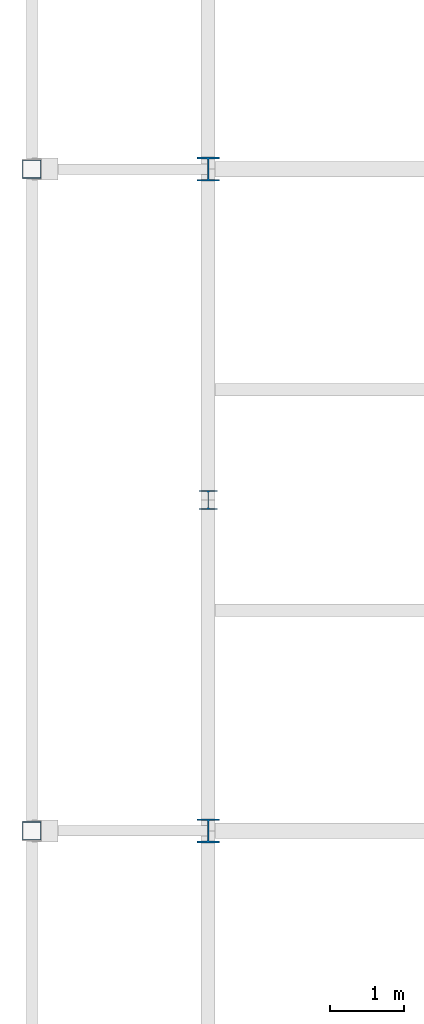
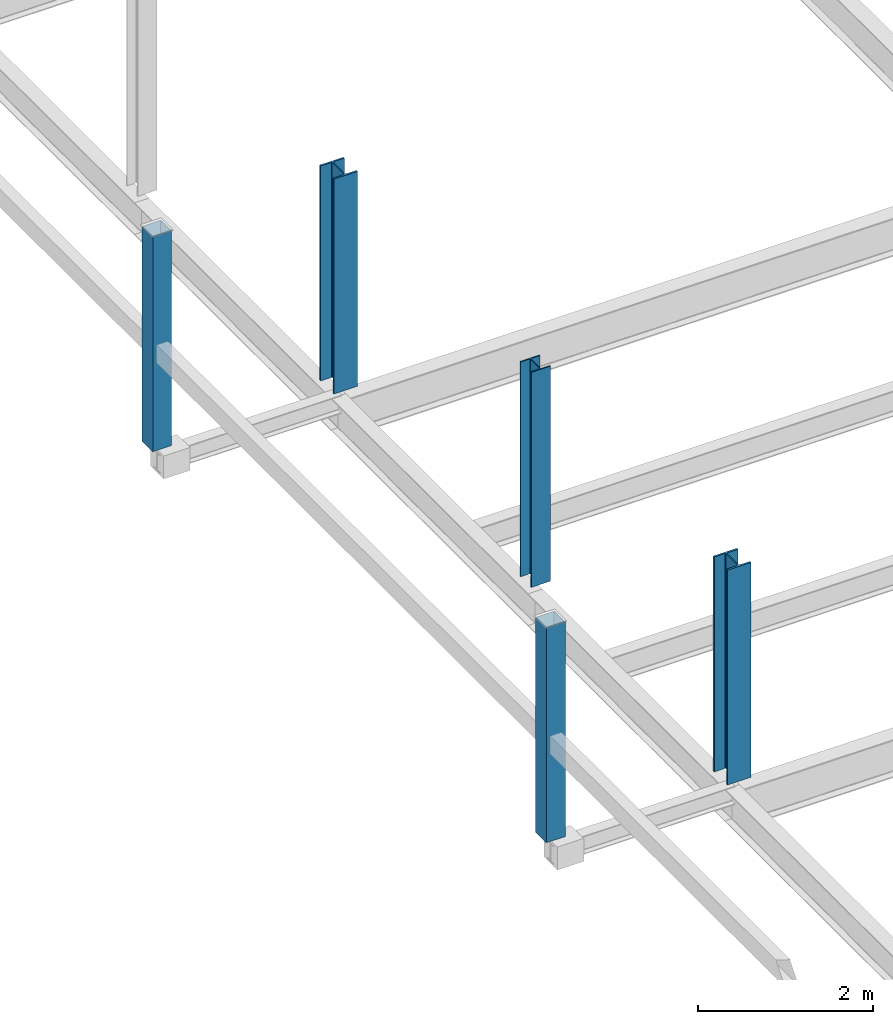
# One storey, part 3 of 16: 5 columns.
"""IFC4 building model written with IfcOpenShell, lengths in metres."""

from ifc_helpers import new_model, si_unit, direction, frame, origin, origin_2d, place, context, subcontext, project, spatial, hollow_rectangle, i_section, extrude, material, material_profile, profile_set, type_object, element, save


model = new_model("IFC4")

# Units and contexts
model_context = context("Model", 3, precision=1e-05, world=origin(), true_north=direction((0.0, 1.0)))
body_context = subcontext(model_context, "Body", "Model", "MODEL_VIEW")
ifc_project = project(units=[si_unit("LENGTHUNIT", "METRE"), si_unit("AREAUNIT", "SQUARE_METRE"), si_unit("VOLUMEUNIT", "CUBIC_METRE"), si_unit("PLANEANGLEUNIT", "RADIAN"), si_unit("MASSUNIT", "GRAM", prefix="KILO"), si_unit("THERMODYNAMICTEMPERATUREUNIT", "KELVIN"), si_unit("POWERUNIT", "WATT")], contexts=[model_context])

# Site, building, storey
site_placement = place(None, origin())
site = spatial("IfcSite", under=ifc_project, at=site_placement, CompositionType="ELEMENT")
building_placement = place(site_placement, origin())
building = spatial("IfcBuilding", under=site, at=building_placement, Name="Tallowbark Science Centre", CompositionType="ELEMENT")
storey_placement = place(building_placement, frame((0.0, 0.0, 23.39990234375)))
storey = spatial("IfcBuildingStorey", under=building, at=storey_placement, Name="L05", CompositionType="ELEMENT", Elevation=23.39990234375)

# Columns
ifc_material_1 = material(Name="White Architectural Painted Steel Grade C350L0 (350 MPa)", Category="steel")
ifc_material_profile_1 = material_profile(ifc_material_1, hollow_rectangle(XDim=0.25, YDim=0.25, WallThickness=0.009033203125, at=origin_2d()), Name="250x250x9.0SHS")
ifc_profile_set_1 = profile_set([ifc_material_profile_1], Name="White Architectural Painted Steel Grade C350L0 (350 MPa)")
column_type_1 = type_object("IfcColumnType", Name="COL-SCR200", PredefinedType="COLUMN", material=ifc_profile_set_1)
for number, where, z_axis, x_axis, name in (
    (1, (56.10009765625, 22.5, 0.0), (0.0, 0.0, 1.0), (1.0, 0.0, 0.0), "Column SCR-W03 L05"),
    (2, (56.10009765625, 31.5, 0.0), (0.0, 0.0, 1.0), (1.0, 0.0, 0.0), "Column SCR-W04 L05"),
):
    element("IfcColumn", number, at=place(storey_placement, frame(where, z_axis=z_axis, x_axis=x_axis)), inside=storey, type_object=column_type_1, Name=name, PredefinedType="COLUMN", context=body_context, shape_type="SweptSolid", body=[
        extrude(hollow_rectangle(XDim=0.25, YDim=0.25, WallThickness=0.009033203125, at=origin_2d()), origin(), (0.0, 0.0, 1.0), 3.0),
    ])
ifc_material_2 = material(Name="Structural Steel Grade 300PLUS (300 MPa)", Category="steel")
ifc_material_profile_2 = material_profile(ifc_material_2, i_section(OverallWidth=0.311279296875, OverallDepth=0.3271484375, WebThickness=0.015625, FlangeThickness=0.02490234375, FilletRadius=0.0166015625, at=origin_2d()), Name="310UC158")
ifc_profile_set_2 = profile_set([ifc_material_profile_2], Name="Structural Steel Grade 300PLUS (300 MPa)")
column_type_2 = type_object("IfcColumnType", Name="COL-UC310A", PredefinedType="COLUMN", material=ifc_profile_set_2)
for number, where, z_axis, x_axis, name in (
    (3, (58.5, 22.5, 0.0), (0.0, 0.0, 1.0), (1.0, 0.0, 0.0), "Column CUB-M0_2 L05"),
    (4, (58.5, 31.5, 0.0), (0.0, 0.0, 1.0), (1.0, 0.0, 0.0), "Column CUB-M0_3 L05"),
):
    element("IfcColumn", number, at=place(storey_placement, frame(where, z_axis=z_axis, x_axis=x_axis)), inside=storey, type_object=column_type_2, Name=name, PredefinedType="COLUMN", context=body_context, shape_type="SweptSolid", body=[
        extrude(i_section(OverallWidth=0.311279296875, OverallDepth=0.3271484375, WebThickness=0.015625, FlangeThickness=0.02490234375, FilletRadius=0.0166015625, at=origin_2d()), origin(), (0.0, 0.0, 1.0), 3.0),
    ])
ifc_material_profile_3 = material_profile(ifc_material_2, i_section(OverallWidth=0.256103515625, OverallDepth=0.260009765625, WebThickness=0.010498046875, FlangeThickness=0.017333984375, FilletRadius=0.013916015625, at=origin_2d()), Name="250UC89.5")
ifc_profile_set_3 = profile_set([ifc_material_profile_3], Name="Structural Steel Grade 300PLUS (300 MPa)")
column_type_3 = type_object("IfcColumnType", Name="PIL-UC250", PredefinedType="PILASTER", material=ifc_profile_set_3)
column_placement = place(storey_placement, frame((58.5, 27.0, 0.0), z_axis=(0.0, 0.0, 1.0), x_axis=(1.0, 0.0, 0.0)))
element("IfcColumn", 5, at=column_placement, inside=storey, type_object=column_type_3, Name="Column CUB-PW-2 L05", PredefinedType="PILASTER", context=body_context, shape_type="SweptSolid", body=[
    extrude(i_section(OverallWidth=0.256103515625, OverallDepth=0.260009765625, WebThickness=0.010498046875, FlangeThickness=0.017333984375, FilletRadius=0.013916015625, at=origin_2d()), origin(), (0.0, 0.0, 1.0), 3.0),
])

save(model, "model.ifc")
